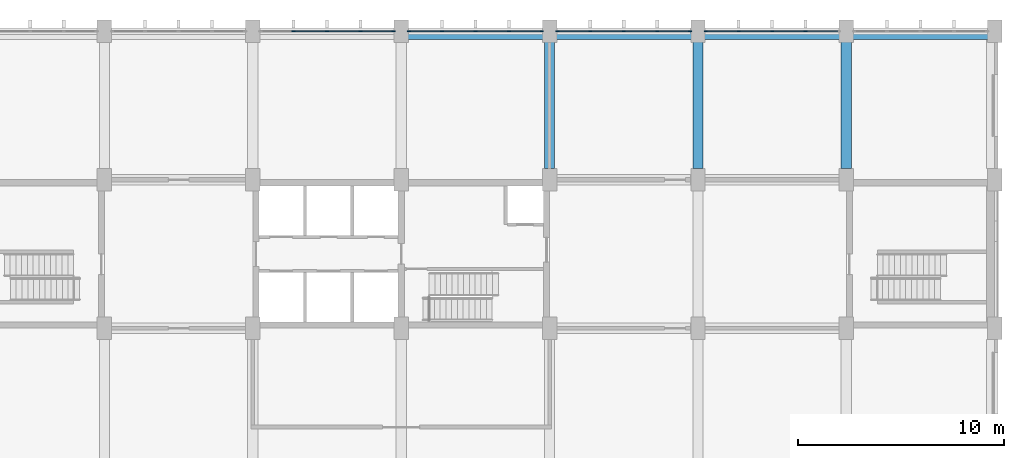
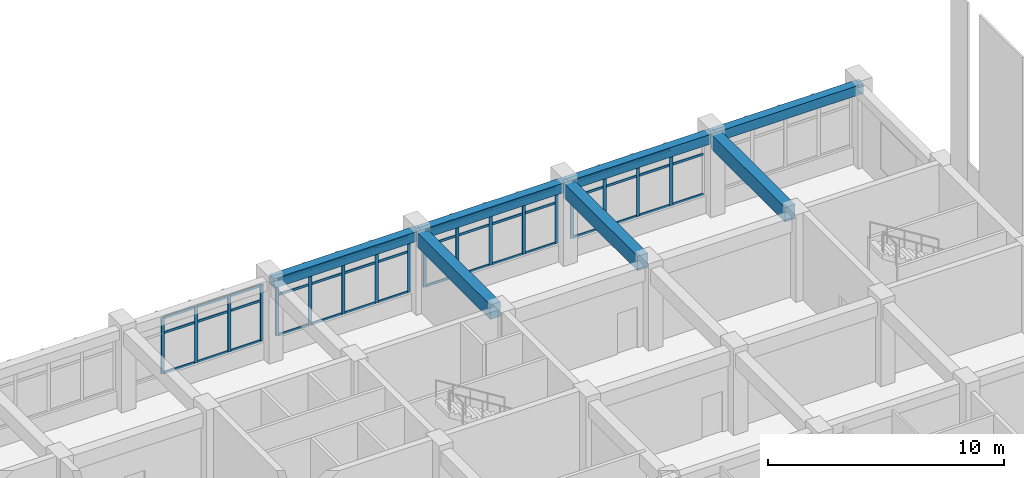
# One storey, part 19 of 52: 62 members, 7 beams, 4 elements without a shape of their own.
"""IFC4 building model written with IfcOpenShell, lengths in metres."""

import ifcopenshell
import ifcopenshell.guid

model = None  # the IFC model being written
_history = None  # IfcOwnerHistory: only IFC2X3 demands one
_inside = {}  # id of a spatial element -> (the spatial element, [elements in it])
_under = {}  # id of a project, library or spatial element -> (it, [spatial elements below it])
_declared = {}  # id of a project -> (the project, [libraries it declares])
_typed = {}  # id of a type object -> (the type object, [elements of that type])
_made_of = {}  # id of a material, layer set ... -> (it, [elements and type objects made of it])


def new_model(schema):
    """Start an empty IFC model of exactly this schema.

    Asked for "IFC4X3", IfcOpenShell would pick the latest addendum, in which some entities
    have other attributes; the version numbers below select the first issue.
    IFC2X3 requires an IfcOwnerHistory on every rooted entity: one is made here for all.
    """
    global model, _history
    if schema == "IFC4X3":
        model = ifcopenshell.file(schema_version=(4, 3, 0, 0))
    else:
        model = ifcopenshell.file(schema=schema)
    _inside.clear()
    _under.clear()
    _declared.clear()
    _typed.clear()
    _made_of.clear()
    _history = None
    if model.schema == "IFC2X3":
        org = make("IfcOrganization", Name="unknown")
        user = make(
            "IfcPersonAndOrganization",
            ThePerson=make("IfcPerson", FamilyName="unknown"),
            TheOrganization=org,
        )
        app = make(
            "IfcApplication",
            ApplicationDeveloper=org,
            Version="unknown",
            ApplicationFullName="unknown",
            ApplicationIdentifier="unknown",
        )
        _history = make(
            "IfcOwnerHistory",
            OwningUser=user,
            OwningApplication=app,
            ChangeAction="ADDED",
            CreationDate=0,
        )
    return model


def make(cls, **values):
    """One entity of the class cls with the attributes given. An attribute that is None is left unset."""
    return model.create_entity(
        cls, **{name: value for name, value in values.items() if value is not None}
    )


def rooted(cls, **values):
    """An entity with a GlobalId (a new one), such as an element, a storey or a relation."""
    return make(cls, GlobalId=ifcopenshell.guid.new(), OwnerHistory=_history, **values)


def si_unit(unit_type, name, prefix=None):
    """IfcSIUnit, for example si_unit("LENGTHUNIT", "METRE", prefix="MILLI")."""
    return make("IfcSIUnit", UnitType=unit_type, Prefix=prefix, Name=name)


def assignment(units):
    """IfcUnitAssignment: the units of a project."""
    return None if units is None else make("IfcUnitAssignment", Units=units)


def point(xyz):
    """IfcCartesianPoint."""
    return None if xyz is None else make("IfcCartesianPoint", Coordinates=xyz)


def direction(xyz):
    """IfcDirection."""
    return None if xyz is None else make("IfcDirection", DirectionRatios=xyz)


def frame(location, z_axis=None, x_axis=None):
    """IfcAxis2Placement3D, a coordinate frame: its origin and axes. An axis left out is left unset."""
    return make(
        "IfcAxis2Placement3D",
        Location=point(location),
        Axis=direction(z_axis),
        RefDirection=direction(x_axis),
    )


def frame_2d(location, x_axis=None):
    """IfcAxis2Placement2D, a coordinate frame in the plane: its origin and x axis."""
    return make(
        "IfcAxis2Placement2D", Location=point(location), RefDirection=direction(x_axis)
    )


def origin():
    """The frame at (0, 0, 0) with its axes left unset."""
    return frame((0.0, 0.0, 0.0))


def origin_2d():
    """The frame at (0, 0) in the plane with its x axis left unset."""
    return frame_2d((0.0, 0.0))


def place(relative_to, where):
    """IfcLocalPlacement: puts the frame where relative to a parent placement (None: the world)."""
    return make(
        "IfcLocalPlacement", PlacementRelTo=relative_to, RelativePlacement=where
    )


def context(
    kind, dimensions, precision=None, world=None, true_north=None, identifier=None
):
    """IfcGeometricRepresentationContext, for example the 3D "Model" context."""
    return make(
        "IfcGeometricRepresentationContext",
        ContextIdentifier=identifier,
        ContextType=kind,
        CoordinateSpaceDimension=dimensions,
        Precision=precision,
        WorldCoordinateSystem=world,
        TrueNorth=true_north,
    )


def subcontext(parent, identifier, kind, view, scale=None):
    """IfcGeometricRepresentationSubContext, for example "Body" below "Model"."""
    return make(
        "IfcGeometricRepresentationSubContext",
        ContextIdentifier=identifier,
        ContextType=kind,
        ParentContext=parent,
        TargetScale=scale,
        TargetView=view,
    )


def project(units=None, contexts=None):
    """IfcProject with its units and contexts."""
    return rooted(
        "IfcProject",
        Name="project",
        RepresentationContexts=contexts,
        UnitsInContext=assignment(units),
    )


def spatial(cls, under=None, at=None, **own):
    """A site, building, storey or space (cls), placed at a placement, below another one or the project."""
    s = rooted(cls, ObjectPlacement=at, **own)
    if under is not None:
        _under.setdefault(under.id(), (under, []))[1].append(s)
    return s


def profile(cls, at=None, kind="AREA", **sizes):
    """A parametric profile (cls). Its sizes go by their IFC names, for example OverallWidth=200.0."""
    return make(cls, ProfileType=kind, Position=at, **sizes)


def rectangle(**sizes):
    """IfcRectangleProfileDef."""
    return profile("IfcRectangleProfileDef", **sizes)


def extrude(swept, where, along, depth):
    """IfcExtrudedAreaSolid: the profile swept, set in the frame where, extruded along a direction by depth."""
    return make(
        "IfcExtrudedAreaSolid",
        SweptArea=swept,
        Position=where,
        ExtrudedDirection=direction(along),
        Depth=depth,
    )


def shape(context_of_items, identifier, shape_type, items):
    """IfcShapeRepresentation: the items that make up one representation, for example the "Body"."""
    return make(
        "IfcShapeRepresentation",
        ContextOfItems=context_of_items,
        RepresentationIdentifier=identifier,
        RepresentationType=shape_type,
        Items=items,
    )


def material(Name=None, Category=None):
    """IfcMaterial."""
    return make("IfcMaterial", Name=Name, Category=Category)


def layer(
    of_material, thickness, ventilated=None, Name=None, Category=None, Priority=None
):
    """IfcMaterialLayer: one layer of a wall or slab, of a material (None: an air gap)."""
    return make(
        "IfcMaterialLayer",
        Material=of_material,
        LayerThickness=thickness,
        IsVentilated=ventilated,
        Name=Name,
        Category=Category,
        Priority=Priority,
    )


def layer_set(layers, Name=None):
    """IfcMaterialLayerSet."""
    return make("IfcMaterialLayerSet", MaterialLayers=layers, LayerSetName=Name)


def material_profile(
    of_material, cross_section, Name=None, Category=None, Priority=None
):
    """IfcMaterialProfile: a cross section and its material."""
    return make(
        "IfcMaterialProfile",
        Name=Name,
        Material=of_material,
        Profile=cross_section,
        Priority=Priority,
        Category=Category,
    )


def profile_set(profiles, Name=None, composite=None):
    """IfcMaterialProfileSet."""
    return make(
        "IfcMaterialProfileSet",
        Name=Name,
        MaterialProfiles=profiles,
        CompositeProfile=composite,
    )


def made_of(thing, what):
    """Note that an element or type object is made of a material, layer set ...; save() writes the relation."""
    if what is not None:
        _made_of.setdefault(what.id(), (what, []))[1].append(thing)
    return thing


def type_object(cls, material=None, **own):
    """A type object (cls), such as IfcWallType, which elements share."""
    return made_of(rooted(cls, **own), material)


def element(
    cls,
    number,
    at=None,
    inside=None,
    cuts=None,
    type_object=None,
    material=None,
    context=None,
    identifier="Body",
    shape_type=None,
    held_by="IfcProductDefinitionShape",
    body=None,
    shapes=None,
    **own,
):
    """One element of the class cls, such as IfcWall. Its Tag is "e" and its number.

    at: its placement. inside: the storey or other place that contains it. cuts: it is an
    opening in that element (IfcRelVoidsElement). A single representation is given by context,
    identifier, shape_type and body (its items); several are given by shapes. held_by: the class
    of the entity that holds the representations. save() writes the other relations.
    """
    e = rooted(cls, Tag="e%d" % number, ObjectPlacement=at, **own)
    if body is not None:
        shapes = [shape(context, identifier, shape_type, body)]
    if shapes is not None:
        e.Representation = make(held_by, Representations=shapes)
    if inside is not None:
        _inside.setdefault(inside.id(), (inside, []))[1].append(e)
    if cuts is not None:
        rooted(
            "IfcRelVoidsElement", RelatingBuildingElement=cuts, RelatedOpeningElement=e
        )
    if type_object is not None:
        _typed.setdefault(type_object.id(), (type_object, []))[1].append(e)
    return made_of(e, material)


def aggregate(whole, parts):
    """IfcRelAggregates: a whole, such as a stair, and the parts it consists of."""
    return rooted("IfcRelAggregates", RelatingObject=whole, RelatedObjects=parts)


def save(model, path):
    """Write the relations noted so far, then the file.

    IfcRelAggregates (storeys below a building ...), IfcRelContainedInSpatialStructure (elements
    in a storey), IfcRelDefinesByType, IfcRelAssociatesMaterial and IfcRelDeclares: one each for
    every whole, place, type object, material and project.
    """
    for whole, parts in _under.values():
        aggregate(whole, parts)
    for where, things in _inside.values():
        rooted(
            "IfcRelContainedInSpatialStructure",
            RelatedElements=things,
            RelatingStructure=where,
        )
    for kind, things in _typed.values():
        rooted("IfcRelDefinesByType", RelatedObjects=things, RelatingType=kind)
    for what, things in _made_of.values():
        rooted("IfcRelAssociatesMaterial", RelatedObjects=things, RelatingMaterial=what)
    for by, libraries in _declared.values():
        rooted("IfcRelDeclares", RelatingContext=by, RelatedDefinitions=libraries)
    model.write(path)


model = new_model("IFC4")

# Units and contexts
model_context = context("Model", 3, precision=1e-05, world=origin(), true_north=direction((0.0, 1.0)))
body_context = subcontext(model_context, "Body", "Model", "MODEL_VIEW")
ifc_project = project(units=[si_unit("LENGTHUNIT", "METRE"), si_unit("AREAUNIT", "SQUARE_METRE"), si_unit("VOLUMEUNIT", "CUBIC_METRE"), si_unit("PLANEANGLEUNIT", "RADIAN"), si_unit("MASSUNIT", "GRAM", prefix="KILO")], contexts=[model_context])

# Site, building, storey
site_placement = place(None, origin())
site = spatial("IfcSite", under=ifc_project, at=site_placement, CompositionType="ELEMENT")
building_placement = place(site_placement, origin())
building = spatial("IfcBuilding", under=site, at=building_placement, Name="Vermilion Court Aquatics Centre", CompositionType="ELEMENT")
storey_placement = place(building_placement, frame((0.0, 0.0, 12.0)))
storey = spatial("IfcBuildingStorey", under=building, at=storey_placement, Name="L02", CompositionType="ELEMENT", Elevation=12.0)

# Beams
ifc_material_1 = material(Name="Concrete 6000 psi", Category="concrete")
ifc_material_profile_1 = material_profile(ifc_material_1, rectangle(XDim=0.39990234375, YDim=0.5, at=origin_2d()), Name="RC 400x500")
ifc_profile_set_1 = profile_set([ifc_material_profile_1], Name="Concrete 6000 psi")
beam_type_1 = type_object("IfcBeamType", Name="North block spandrel beam 400x500", PredefinedType="BEAM", material=ifc_profile_set_1)
for number, where, z_axis, x_axis, name in (
    (1, (165.60009765625, 115.0, 3.949951171875), (1.0, 0.0, 0.0), (0.0, 1.0, 0.0), "Spandrel beam L03 x115.2"),
    (2, (172.800048828125, 115.0, 3.949951171875), (1.0, 0.0, 0.0), (0.0, 1.0, 0.0), "Spandrel beam L03 x115.2"),
    (3, (180.0, 115.0, 3.949951171875), (1.0, 0.0, 0.0), (0.0, 1.0, 0.0), "Spandrel beam L03 x115.2"),
    (4, (187.199951171875, 115.0, 3.949951171875), (1.0, 0.0, 0.0), (0.0, 1.0, 0.0), "Spandrel beam L03 x115.2"),
):
    element("IfcBeam", number, at=place(storey_placement, frame(where, z_axis=z_axis, x_axis=x_axis)), inside=storey, type_object=beam_type_1, Name=name, PredefinedType="BEAM", context=body_context, shape_type="SweptSolid", body=[
        extrude(rectangle(XDim=0.39990234375, YDim=0.5, at=origin_2d()), origin(), (0.0, 0.0, 1.0), 7.199951171875),
    ])
ifc_material_2 = material(Name="Concrete 8000 psi", Category="concrete")
ifc_material_profile_2 = material_profile(ifc_material_2, rectangle(XDim=0.5, YDim=0.75, at=origin_2d()), Name="RC 500x750")
ifc_profile_set_2 = profile_set([ifc_material_profile_2], Name="Concrete 8000 psi")
beam_type_2 = type_object("IfcBeamType", Name="North block transfer deck girder 500x750", PredefinedType="BEAM", material=ifc_profile_set_2)
for number, where, z_axis, x_axis, name in (
    (5, (172.800048828125, 108.550048828125, 3.824951171875), (0.0, 1.0, 0.0), (-1.0, 0.0, 0.0), "Floor beam L03 y172.8"),
    (6, (180.0, 108.550048828125, 3.824951171875), (0.0, 1.0, 0.0), (-1.0, 0.0, 0.0), "Floor beam L03 y180"),
    (7, (187.199951171875, 108.550048828125, 3.824951171875), (0.0, 1.0, 0.0), (-1.0, 0.0, 0.0), "Floor beam L03 y187.2"),
):
    element("IfcBeam", number, at=place(storey_placement, frame(where, z_axis=z_axis, x_axis=x_axis)), inside=storey, type_object=beam_type_2, Name=name, PredefinedType="BEAM", context=body_context, shape_type="SweptSolid", body=[
        extrude(rectangle(XDim=0.5, YDim=0.75, at=origin_2d()), origin(), (0.0, 0.0, 1.0), 6.25),
    ])

# Curtain wall, members
ifc_material_3 = material(Name="Aluminium 6063-T5", Category="aluminium")
ifc_layer = layer(ifc_material_3, 0.14990234375)
ifc_layer_set = layer_set([ifc_layer], Name="Podium curtain wall bay, 1800 module")
curtain_wall_type = type_object("IfcCurtainWallType", Name="Podium curtain wall bay, 1800 module", PredefinedType="NOTDEFINED", material=ifc_layer_set)
curtain_wall_1_placement = place(storey_placement, origin())
curtain_wall_1 = element("IfcCurtainWall", 8, at=curtain_wall_1_placement, inside=storey, type_object=curtain_wall_type, Name="Curtain wall L02", PredefinedType="NOTDEFINED")
ifc_material_4 = material(Name="Aluminium 6063-T5", Category="aluminium")
ifc_material_profile_3 = material_profile(ifc_material_4, rectangle(XDim=0.06005859375, YDim=0.159912109375, at=origin_2d()), Name="Mullion 60x160")
ifc_profile_set_3 = profile_set([ifc_material_profile_3], Name="Aluminium 6063-T5")
member_type_1 = type_object("IfcMemberType", Name="Podium curtain wall mullion 60x160", PredefinedType="MULLION", material=ifc_profile_set_3)
member_1_placement = place(storey_placement, frame((160.375, 115.199951171875, 0.89990234375), z_axis=(0.0, 0.0, 1.0), x_axis=(0.0, 1.0, 0.0)))
member_1 = element("IfcMember", 9, at=member_1_placement, type_object=member_type_1, Name="PG2 mullion 2", PredefinedType="MULLION", context=body_context, shape_type="SweptSolid", body=[
    extrude(rectangle(XDim=0.06005859375, YDim=0.159912109375, at=origin_2d()), origin(), (0.0, 0.0, 1.0), 2.900146484375),
])
member_2_placement = place(storey_placement, frame((162.0, 115.199951171875, 0.89990234375), z_axis=(0.0, 0.0, 1.0), x_axis=(0.0, 1.0, 0.0)))
member_2 = element("IfcMember", 10, at=member_2_placement, type_object=member_type_1, Name="PG2 mullion 3", PredefinedType="MULLION", context=body_context, shape_type="SweptSolid", body=[
    extrude(rectangle(XDim=0.06005859375, YDim=0.159912109375, at=origin_2d()), origin(), (0.0, 0.0, 1.0), 2.900146484375),
])
member_3_placement = place(storey_placement, frame((163.625, 115.199951171875, 0.89990234375), z_axis=(0.0, 0.0, 1.0), x_axis=(0.0, 1.0, 0.0)))
member_3 = element("IfcMember", 11, at=member_3_placement, type_object=member_type_1, Name="PG2 mullion 4", PredefinedType="MULLION", context=body_context, shape_type="SweptSolid", body=[
    extrude(rectangle(XDim=0.06005859375, YDim=0.159912109375, at=origin_2d()), origin(), (0.0, 0.0, 1.0), 2.900146484375),
])
member_4_placement = place(storey_placement, frame((165.219970703125, 115.199951171875, 0.89990234375), z_axis=(0.0, 0.0, 1.0), x_axis=(0.0, 1.0, 0.0)))
member_4 = element("IfcMember", 12, at=member_4_placement, type_object=member_type_1, Name="PG2 mullion 5", PredefinedType="MULLION", context=body_context, shape_type="SweptSolid", body=[
    extrude(rectangle(XDim=0.06005859375, YDim=0.159912109375, at=origin_2d()), origin(), (0.0, 0.0, 1.0), 2.900146484375),
])

curtain_wall_2_placement = place(storey_placement, origin())
curtain_wall_2 = element("IfcCurtainWall", 13, at=curtain_wall_2_placement, inside=storey, type_object=curtain_wall_type, Name="Curtain wall L02", PredefinedType="NOTDEFINED")
member_5_placement = place(storey_placement, frame((165.97998046875, 115.199951171875, 0.89990234375), z_axis=(0.0, 0.0, 1.0), x_axis=(0.0, 1.0, 0.0)))
member_5 = element("IfcMember", 14, at=member_5_placement, type_object=member_type_1, Name="PG2 mullion 1", PredefinedType="MULLION", context=body_context, shape_type="SweptSolid", body=[
    extrude(rectangle(XDim=0.06005859375, YDim=0.159912109375, at=origin_2d()), origin(), (0.0, 0.0, 1.0), 2.900146484375),
])
member_6_placement = place(storey_placement, frame((167.574951171875, 115.199951171875, 0.89990234375), z_axis=(0.0, 0.0, 1.0), x_axis=(0.0, 1.0, 0.0)))
member_6 = element("IfcMember", 15, at=member_6_placement, type_object=member_type_1, Name="PG2 mullion 2", PredefinedType="MULLION", context=body_context, shape_type="SweptSolid", body=[
    extrude(rectangle(XDim=0.06005859375, YDim=0.159912109375, at=origin_2d()), origin(), (0.0, 0.0, 1.0), 2.900146484375),
])
member_7_placement = place(storey_placement, frame((169.199951171875, 115.199951171875, 0.89990234375), z_axis=(0.0, 0.0, 1.0), x_axis=(0.0, 1.0, 0.0)))
member_7 = element("IfcMember", 16, at=member_7_placement, type_object=member_type_1, Name="PG2 mullion 3", PredefinedType="MULLION", context=body_context, shape_type="SweptSolid", body=[
    extrude(rectangle(XDim=0.06005859375, YDim=0.159912109375, at=origin_2d()), origin(), (0.0, 0.0, 1.0), 2.900146484375),
])
member_8_placement = place(storey_placement, frame((170.824951171875, 115.199951171875, 0.89990234375), z_axis=(0.0, 0.0, 1.0), x_axis=(0.0, 1.0, 0.0)))
member_8 = element("IfcMember", 17, at=member_8_placement, type_object=member_type_1, Name="PG2 mullion 4", PredefinedType="MULLION", context=body_context, shape_type="SweptSolid", body=[
    extrude(rectangle(XDim=0.06005859375, YDim=0.159912109375, at=origin_2d()), origin(), (0.0, 0.0, 1.0), 2.900146484375),
])
member_9_placement = place(storey_placement, frame((172.419921875, 115.199951171875, 0.89990234375), z_axis=(0.0, 0.0, 1.0), x_axis=(0.0, 1.0, 0.0)))
member_9 = element("IfcMember", 18, at=member_9_placement, type_object=member_type_1, Name="PG2 mullion 5", PredefinedType="MULLION", context=body_context, shape_type="SweptSolid", body=[
    extrude(rectangle(XDim=0.06005859375, YDim=0.159912109375, at=origin_2d()), origin(), (0.0, 0.0, 1.0), 2.900146484375),
])

curtain_wall_3_placement = place(storey_placement, origin())
curtain_wall_3 = element("IfcCurtainWall", 19, at=curtain_wall_3_placement, inside=storey, type_object=curtain_wall_type, Name="Curtain wall L02", PredefinedType="NOTDEFINED")
member_10_placement = place(storey_placement, frame((173.179931640625, 115.199951171875, 0.89990234375), z_axis=(0.0, 0.0, 1.0), x_axis=(0.0, 1.0, 0.0)))
member_10 = element("IfcMember", 20, at=member_10_placement, type_object=member_type_1, Name="PG2 mullion 1", PredefinedType="MULLION", context=body_context, shape_type="SweptSolid", body=[
    extrude(rectangle(XDim=0.06005859375, YDim=0.159912109375, at=origin_2d()), origin(), (0.0, 0.0, 1.0), 2.900146484375),
])
member_11_placement = place(storey_placement, frame((174.77490234375, 115.199951171875, 0.89990234375), z_axis=(0.0, 0.0, 1.0), x_axis=(0.0, 1.0, 0.0)))
member_11 = element("IfcMember", 21, at=member_11_placement, type_object=member_type_1, Name="PG2 mullion 2", PredefinedType="MULLION", context=body_context, shape_type="SweptSolid", body=[
    extrude(rectangle(XDim=0.06005859375, YDim=0.159912109375, at=origin_2d()), origin(), (0.0, 0.0, 1.0), 2.900146484375),
])
member_12_placement = place(storey_placement, frame((176.39990234375, 115.199951171875, 0.89990234375), z_axis=(0.0, 0.0, 1.0), x_axis=(0.0, 1.0, 0.0)))
member_12 = element("IfcMember", 22, at=member_12_placement, type_object=member_type_1, Name="PG2 mullion 3", PredefinedType="MULLION", context=body_context, shape_type="SweptSolid", body=[
    extrude(rectangle(XDim=0.06005859375, YDim=0.159912109375, at=origin_2d()), origin(), (0.0, 0.0, 1.0), 2.900146484375),
])
member_13_placement = place(storey_placement, frame((178.02490234375, 115.199951171875, 0.89990234375), z_axis=(0.0, 0.0, 1.0), x_axis=(0.0, 1.0, 0.0)))
member_13 = element("IfcMember", 23, at=member_13_placement, type_object=member_type_1, Name="PG2 mullion 4", PredefinedType="MULLION", context=body_context, shape_type="SweptSolid", body=[
    extrude(rectangle(XDim=0.06005859375, YDim=0.159912109375, at=origin_2d()), origin(), (0.0, 0.0, 1.0), 2.900146484375),
])
member_14_placement = place(storey_placement, frame((179.6201171875, 115.199951171875, 0.89990234375), z_axis=(0.0, 0.0, 1.0), x_axis=(0.0, 1.0, 0.0)))
member_14 = element("IfcMember", 24, at=member_14_placement, type_object=member_type_1, Name="PG2 mullion 5", PredefinedType="MULLION", context=body_context, shape_type="SweptSolid", body=[
    extrude(rectangle(XDim=0.06005859375, YDim=0.159912109375, at=origin_2d()), origin(), (0.0, 0.0, 1.0), 2.900146484375),
])

curtain_wall_4_placement = place(storey_placement, origin())
curtain_wall_4 = element("IfcCurtainWall", 25, at=curtain_wall_4_placement, inside=storey, type_object=curtain_wall_type, Name="Curtain wall L02", PredefinedType="NOTDEFINED")
member_15_placement = place(storey_placement, frame((180.3798828125, 115.199951171875, 0.89990234375), z_axis=(0.0, 0.0, 1.0), x_axis=(0.0, 1.0, 0.0)))
member_15 = element("IfcMember", 26, at=member_15_placement, type_object=member_type_1, Name="PG2 mullion 1", PredefinedType="MULLION", context=body_context, shape_type="SweptSolid", body=[
    extrude(rectangle(XDim=0.06005859375, YDim=0.159912109375, at=origin_2d()), origin(), (0.0, 0.0, 1.0), 2.900146484375),
])
member_16_placement = place(storey_placement, frame((181.97509765625, 115.199951171875, 0.89990234375), z_axis=(0.0, 0.0, 1.0), x_axis=(0.0, 1.0, 0.0)))
member_16 = element("IfcMember", 27, at=member_16_placement, type_object=member_type_1, Name="PG2 mullion 2", PredefinedType="MULLION", context=body_context, shape_type="SweptSolid", body=[
    extrude(rectangle(XDim=0.06005859375, YDim=0.159912109375, at=origin_2d()), origin(), (0.0, 0.0, 1.0), 2.900146484375),
])
member_17_placement = place(storey_placement, frame((183.60009765625, 115.199951171875, 0.89990234375), z_axis=(0.0, 0.0, 1.0), x_axis=(0.0, 1.0, 0.0)))
member_17 = element("IfcMember", 28, at=member_17_placement, type_object=member_type_1, Name="PG2 mullion 3", PredefinedType="MULLION", context=body_context, shape_type="SweptSolid", body=[
    extrude(rectangle(XDim=0.06005859375, YDim=0.159912109375, at=origin_2d()), origin(), (0.0, 0.0, 1.0), 2.900146484375),
])
member_18_placement = place(storey_placement, frame((185.22509765625, 115.199951171875, 0.89990234375), z_axis=(0.0, 0.0, 1.0), x_axis=(0.0, 1.0, 0.0)))
member_18 = element("IfcMember", 29, at=member_18_placement, type_object=member_type_1, Name="PG2 mullion 4", PredefinedType="MULLION", context=body_context, shape_type="SweptSolid", body=[
    extrude(rectangle(XDim=0.06005859375, YDim=0.159912109375, at=origin_2d()), origin(), (0.0, 0.0, 1.0), 2.900146484375),
])

# Member
ifc_material_5 = material(Name="Aluminium 6063-T5", Category="aluminium")
ifc_material_profile_4 = material_profile(ifc_material_5, rectangle(XDim=0.06005859375, YDim=0.1201171875, at=origin_2d()), Name="Transom 60x120")
ifc_profile_set_4 = profile_set([ifc_material_profile_4], Name="Aluminium 6063-T5")
member_type_2 = type_object("IfcMemberType", Name="Podium curtain wall transom 60x120", PredefinedType="USERDEFINED", material=ifc_profile_set_4)
member_19_placement = place(storey_placement, frame((160.405029296875, 115.199951171875, 0.929931640625), z_axis=(1.0, 0.0, 0.0), x_axis=(0.0, 1.0, 0.0)))
member_19 = element("IfcMember", 30, at=member_19_placement, type_object=member_type_2, Name="PG2 transom 2.1", ObjectType="TRANSOM", PredefinedType="USERDEFINED", context=body_context, shape_type="SweptSolid", body=[
    extrude(rectangle(XDim=0.06005859375, YDim=0.1201171875, at=origin_2d()), origin(), (0.0, 0.0, 1.0), 1.56494140625),
])

member_20_placement = place(storey_placement, frame((160.405029296875, 115.199951171875, 3.0), z_axis=(1.0, 0.0, 0.0), x_axis=(0.0, 1.0, 0.0)))
member_20 = element("IfcMember", 31, at=member_20_placement, type_object=member_type_2, Name="PG2 transom 2.2", ObjectType="TRANSOM", PredefinedType="USERDEFINED", context=body_context, shape_type="SweptSolid", body=[
    extrude(rectangle(XDim=0.06005859375, YDim=0.1201171875, at=origin_2d()), origin(), (0.0, 0.0, 1.0), 1.56494140625),
])

member_21_placement = place(storey_placement, frame((160.405029296875, 115.199951171875, 3.77001953125), z_axis=(1.0, 0.0, 0.0), x_axis=(0.0, 1.0, 0.0)))
member_21 = element("IfcMember", 32, at=member_21_placement, type_object=member_type_2, Name="PG2 transom 2.3", ObjectType="TRANSOM", PredefinedType="USERDEFINED", context=body_context, shape_type="SweptSolid", body=[
    extrude(rectangle(XDim=0.06005859375, YDim=0.1201171875, at=origin_2d()), origin(), (0.0, 0.0, 1.0), 1.56494140625),
])

member_22_placement = place(storey_placement, frame((162.030029296875, 115.199951171875, 0.929931640625), z_axis=(1.0, 0.0, 0.0), x_axis=(0.0, 1.0, 0.0)))
member_22 = element("IfcMember", 33, at=member_22_placement, type_object=member_type_2, Name="PG2 transom 3.1", ObjectType="TRANSOM", PredefinedType="USERDEFINED", context=body_context, shape_type="SweptSolid", body=[
    extrude(rectangle(XDim=0.06005859375, YDim=0.1201171875, at=origin_2d()), origin(), (0.0, 0.0, 1.0), 1.56494140625),
])

member_23_placement = place(storey_placement, frame((162.030029296875, 115.199951171875, 3.0), z_axis=(1.0, 0.0, 0.0), x_axis=(0.0, 1.0, 0.0)))
member_23 = element("IfcMember", 34, at=member_23_placement, type_object=member_type_2, Name="PG2 transom 3.2", ObjectType="TRANSOM", PredefinedType="USERDEFINED", context=body_context, shape_type="SweptSolid", body=[
    extrude(rectangle(XDim=0.06005859375, YDim=0.1201171875, at=origin_2d()), origin(), (0.0, 0.0, 1.0), 1.56494140625),
])

member_24_placement = place(storey_placement, frame((162.030029296875, 115.199951171875, 3.77001953125), z_axis=(1.0, 0.0, 0.0), x_axis=(0.0, 1.0, 0.0)))
member_24 = element("IfcMember", 35, at=member_24_placement, type_object=member_type_2, Name="PG2 transom 3.3", ObjectType="TRANSOM", PredefinedType="USERDEFINED", context=body_context, shape_type="SweptSolid", body=[
    extrude(rectangle(XDim=0.06005859375, YDim=0.1201171875, at=origin_2d()), origin(), (0.0, 0.0, 1.0), 1.56494140625),
])

member_25_placement = place(storey_placement, frame((163.655029296875, 115.199951171875, 0.929931640625), z_axis=(1.0, 0.0, 0.0), x_axis=(0.0, 1.0, 0.0)))
member_25 = element("IfcMember", 36, at=member_25_placement, type_object=member_type_2, Name="PG2 transom 4.1", ObjectType="TRANSOM", PredefinedType="USERDEFINED", context=body_context, shape_type="SweptSolid", body=[
    extrude(rectangle(XDim=0.06005859375, YDim=0.1201171875, at=origin_2d()), origin(), (0.0, 0.0, 1.0), 1.534912109375),
])

member_26_placement = place(storey_placement, frame((163.655029296875, 115.199951171875, 3.0), z_axis=(1.0, 0.0, 0.0), x_axis=(0.0, 1.0, 0.0)))
member_26 = element("IfcMember", 37, at=member_26_placement, type_object=member_type_2, Name="PG2 transom 4.2", ObjectType="TRANSOM", PredefinedType="USERDEFINED", context=body_context, shape_type="SweptSolid", body=[
    extrude(rectangle(XDim=0.06005859375, YDim=0.1201171875, at=origin_2d()), origin(), (0.0, 0.0, 1.0), 1.534912109375),
])

member_27_placement = place(storey_placement, frame((163.655029296875, 115.199951171875, 3.77001953125), z_axis=(1.0, 0.0, 0.0), x_axis=(0.0, 1.0, 0.0)))
member_27 = element("IfcMember", 38, at=member_27_placement, type_object=member_type_2, Name="PG2 transom 4.3", ObjectType="TRANSOM", PredefinedType="USERDEFINED", context=body_context, shape_type="SweptSolid", body=[
    extrude(rectangle(XDim=0.06005859375, YDim=0.1201171875, at=origin_2d()), origin(), (0.0, 0.0, 1.0), 1.534912109375),
])

aggregate(curtain_wall_1, [member_1, member_2, member_3, member_4, member_19, member_20, member_21, member_22, member_23, member_24, member_25, member_26, member_27])

member_28_placement = place(storey_placement, frame((166.010009765625, 115.199951171875, 0.929931640625), z_axis=(1.0, 0.0, 0.0), x_axis=(0.0, 1.0, 0.0)))
member_28 = element("IfcMember", 39, at=member_28_placement, type_object=member_type_2, Name="PG2 transom 1.1", ObjectType="TRANSOM", PredefinedType="USERDEFINED", context=body_context, shape_type="SweptSolid", body=[
    extrude(rectangle(XDim=0.06005859375, YDim=0.1201171875, at=origin_2d()), origin(), (0.0, 0.0, 1.0), 1.534912109375),
])

member_29_placement = place(storey_placement, frame((166.010009765625, 115.199951171875, 3.0), z_axis=(1.0, 0.0, 0.0), x_axis=(0.0, 1.0, 0.0)))
member_29 = element("IfcMember", 40, at=member_29_placement, type_object=member_type_2, Name="PG2 transom 1.2", ObjectType="TRANSOM", PredefinedType="USERDEFINED", context=body_context, shape_type="SweptSolid", body=[
    extrude(rectangle(XDim=0.06005859375, YDim=0.1201171875, at=origin_2d()), origin(), (0.0, 0.0, 1.0), 1.534912109375),
])

member_30_placement = place(storey_placement, frame((166.010009765625, 115.199951171875, 3.77001953125), z_axis=(1.0, 0.0, 0.0), x_axis=(0.0, 1.0, 0.0)))
member_30 = element("IfcMember", 41, at=member_30_placement, type_object=member_type_2, Name="PG2 transom 1.3", ObjectType="TRANSOM", PredefinedType="USERDEFINED", context=body_context, shape_type="SweptSolid", body=[
    extrude(rectangle(XDim=0.06005859375, YDim=0.1201171875, at=origin_2d()), origin(), (0.0, 0.0, 1.0), 1.534912109375),
])

member_31_placement = place(storey_placement, frame((167.60498046875, 115.199951171875, 0.929931640625), z_axis=(1.0, 0.0, 0.0), x_axis=(0.0, 1.0, 0.0)))
member_31 = element("IfcMember", 42, at=member_31_placement, type_object=member_type_2, Name="PG2 transom 2.1", ObjectType="TRANSOM", PredefinedType="USERDEFINED", context=body_context, shape_type="SweptSolid", body=[
    extrude(rectangle(XDim=0.06005859375, YDim=0.1201171875, at=origin_2d()), origin(), (0.0, 0.0, 1.0), 1.56494140625),
])

member_32_placement = place(storey_placement, frame((167.60498046875, 115.199951171875, 3.0), z_axis=(1.0, 0.0, 0.0), x_axis=(0.0, 1.0, 0.0)))
member_32 = element("IfcMember", 43, at=member_32_placement, type_object=member_type_2, Name="PG2 transom 2.2", ObjectType="TRANSOM", PredefinedType="USERDEFINED", context=body_context, shape_type="SweptSolid", body=[
    extrude(rectangle(XDim=0.06005859375, YDim=0.1201171875, at=origin_2d()), origin(), (0.0, 0.0, 1.0), 1.56494140625),
])

member_33_placement = place(storey_placement, frame((167.60498046875, 115.199951171875, 3.77001953125), z_axis=(1.0, 0.0, 0.0), x_axis=(0.0, 1.0, 0.0)))
member_33 = element("IfcMember", 44, at=member_33_placement, type_object=member_type_2, Name="PG2 transom 2.3", ObjectType="TRANSOM", PredefinedType="USERDEFINED", context=body_context, shape_type="SweptSolid", body=[
    extrude(rectangle(XDim=0.06005859375, YDim=0.1201171875, at=origin_2d()), origin(), (0.0, 0.0, 1.0), 1.56494140625),
])

member_34_placement = place(storey_placement, frame((169.22998046875, 115.199951171875, 0.929931640625), z_axis=(1.0, 0.0, 0.0), x_axis=(0.0, 1.0, 0.0)))
member_34 = element("IfcMember", 45, at=member_34_placement, type_object=member_type_2, Name="PG2 transom 3.1", ObjectType="TRANSOM", PredefinedType="USERDEFINED", context=body_context, shape_type="SweptSolid", body=[
    extrude(rectangle(XDim=0.06005859375, YDim=0.1201171875, at=origin_2d()), origin(), (0.0, 0.0, 1.0), 1.56494140625),
])

member_35_placement = place(storey_placement, frame((169.22998046875, 115.199951171875, 3.0), z_axis=(1.0, 0.0, 0.0), x_axis=(0.0, 1.0, 0.0)))
member_35 = element("IfcMember", 46, at=member_35_placement, type_object=member_type_2, Name="PG2 transom 3.2", ObjectType="TRANSOM", PredefinedType="USERDEFINED", context=body_context, shape_type="SweptSolid", body=[
    extrude(rectangle(XDim=0.06005859375, YDim=0.1201171875, at=origin_2d()), origin(), (0.0, 0.0, 1.0), 1.56494140625),
])

member_36_placement = place(storey_placement, frame((169.22998046875, 115.199951171875, 3.77001953125), z_axis=(1.0, 0.0, 0.0), x_axis=(0.0, 1.0, 0.0)))
member_36 = element("IfcMember", 47, at=member_36_placement, type_object=member_type_2, Name="PG2 transom 3.3", ObjectType="TRANSOM", PredefinedType="USERDEFINED", context=body_context, shape_type="SweptSolid", body=[
    extrude(rectangle(XDim=0.06005859375, YDim=0.1201171875, at=origin_2d()), origin(), (0.0, 0.0, 1.0), 1.56494140625),
])

member_37_placement = place(storey_placement, frame((170.85498046875, 115.199951171875, 0.929931640625), z_axis=(1.0, 0.0, 0.0), x_axis=(0.0, 1.0, 0.0)))
member_37 = element("IfcMember", 48, at=member_37_placement, type_object=member_type_2, Name="PG2 transom 4.1", ObjectType="TRANSOM", PredefinedType="USERDEFINED", context=body_context, shape_type="SweptSolid", body=[
    extrude(rectangle(XDim=0.06005859375, YDim=0.1201171875, at=origin_2d()), origin(), (0.0, 0.0, 1.0), 1.534912109375),
])

member_38_placement = place(storey_placement, frame((170.85498046875, 115.199951171875, 3.0), z_axis=(1.0, 0.0, 0.0), x_axis=(0.0, 1.0, 0.0)))
member_38 = element("IfcMember", 49, at=member_38_placement, type_object=member_type_2, Name="PG2 transom 4.2", ObjectType="TRANSOM", PredefinedType="USERDEFINED", context=body_context, shape_type="SweptSolid", body=[
    extrude(rectangle(XDim=0.06005859375, YDim=0.1201171875, at=origin_2d()), origin(), (0.0, 0.0, 1.0), 1.534912109375),
])

member_39_placement = place(storey_placement, frame((170.85498046875, 115.199951171875, 3.77001953125), z_axis=(1.0, 0.0, 0.0), x_axis=(0.0, 1.0, 0.0)))
member_39 = element("IfcMember", 50, at=member_39_placement, type_object=member_type_2, Name="PG2 transom 4.3", ObjectType="TRANSOM", PredefinedType="USERDEFINED", context=body_context, shape_type="SweptSolid", body=[
    extrude(rectangle(XDim=0.06005859375, YDim=0.1201171875, at=origin_2d()), origin(), (0.0, 0.0, 1.0), 1.534912109375),
])

aggregate(curtain_wall_2, [member_5, member_6, member_7, member_8, member_9, member_28, member_29, member_30, member_31, member_32, member_33, member_34, member_35, member_36, member_37, member_38, member_39])

member_40_placement = place(storey_placement, frame((173.2099609375, 115.199951171875, 0.929931640625), z_axis=(1.0, 0.0, 0.0), x_axis=(0.0, 1.0, 0.0)))
member_40 = element("IfcMember", 51, at=member_40_placement, type_object=member_type_2, Name="PG2 transom 1.1", ObjectType="TRANSOM", PredefinedType="USERDEFINED", context=body_context, shape_type="SweptSolid", body=[
    extrude(rectangle(XDim=0.06005859375, YDim=0.1201171875, at=origin_2d()), origin(), (0.0, 0.0, 1.0), 1.53515625),
])

member_41_placement = place(storey_placement, frame((173.2099609375, 115.199951171875, 3.0), z_axis=(1.0, 0.0, 0.0), x_axis=(0.0, 1.0, 0.0)))
member_41 = element("IfcMember", 52, at=member_41_placement, type_object=member_type_2, Name="PG2 transom 1.2", ObjectType="TRANSOM", PredefinedType="USERDEFINED", context=body_context, shape_type="SweptSolid", body=[
    extrude(rectangle(XDim=0.06005859375, YDim=0.1201171875, at=origin_2d()), origin(), (0.0, 0.0, 1.0), 1.53515625),
])

member_42_placement = place(storey_placement, frame((173.2099609375, 115.199951171875, 3.77001953125), z_axis=(1.0, 0.0, 0.0), x_axis=(0.0, 1.0, 0.0)))
member_42 = element("IfcMember", 53, at=member_42_placement, type_object=member_type_2, Name="PG2 transom 1.3", ObjectType="TRANSOM", PredefinedType="USERDEFINED", context=body_context, shape_type="SweptSolid", body=[
    extrude(rectangle(XDim=0.06005859375, YDim=0.1201171875, at=origin_2d()), origin(), (0.0, 0.0, 1.0), 1.53515625),
])

member_43_placement = place(storey_placement, frame((174.804931640625, 115.199951171875, 0.929931640625), z_axis=(1.0, 0.0, 0.0), x_axis=(0.0, 1.0, 0.0)))
member_43 = element("IfcMember", 54, at=member_43_placement, type_object=member_type_2, Name="PG2 transom 2.1", ObjectType="TRANSOM", PredefinedType="USERDEFINED", context=body_context, shape_type="SweptSolid", body=[
    extrude(rectangle(XDim=0.06005859375, YDim=0.1201171875, at=origin_2d()), origin(), (0.0, 0.0, 1.0), 1.565185546875),
])

member_44_placement = place(storey_placement, frame((174.804931640625, 115.199951171875, 3.0), z_axis=(1.0, 0.0, 0.0), x_axis=(0.0, 1.0, 0.0)))
member_44 = element("IfcMember", 55, at=member_44_placement, type_object=member_type_2, Name="PG2 transom 2.2", ObjectType="TRANSOM", PredefinedType="USERDEFINED", context=body_context, shape_type="SweptSolid", body=[
    extrude(rectangle(XDim=0.06005859375, YDim=0.1201171875, at=origin_2d()), origin(), (0.0, 0.0, 1.0), 1.565185546875),
])

member_45_placement = place(storey_placement, frame((174.804931640625, 115.199951171875, 3.77001953125), z_axis=(1.0, 0.0, 0.0), x_axis=(0.0, 1.0, 0.0)))
member_45 = element("IfcMember", 56, at=member_45_placement, type_object=member_type_2, Name="PG2 transom 2.3", ObjectType="TRANSOM", PredefinedType="USERDEFINED", context=body_context, shape_type="SweptSolid", body=[
    extrude(rectangle(XDim=0.06005859375, YDim=0.1201171875, at=origin_2d()), origin(), (0.0, 0.0, 1.0), 1.565185546875),
])

member_46_placement = place(storey_placement, frame((176.429931640625, 115.199951171875, 0.929931640625), z_axis=(1.0, 0.0, 0.0), x_axis=(0.0, 1.0, 0.0)))
member_46 = element("IfcMember", 57, at=member_46_placement, type_object=member_type_2, Name="PG2 transom 3.1", ObjectType="TRANSOM", PredefinedType="USERDEFINED", context=body_context, shape_type="SweptSolid", body=[
    extrude(rectangle(XDim=0.06005859375, YDim=0.1201171875, at=origin_2d()), origin(), (0.0, 0.0, 1.0), 1.565185546875),
])

member_47_placement = place(storey_placement, frame((176.429931640625, 115.199951171875, 3.0), z_axis=(1.0, 0.0, 0.0), x_axis=(0.0, 1.0, 0.0)))
member_47 = element("IfcMember", 58, at=member_47_placement, type_object=member_type_2, Name="PG2 transom 3.2", ObjectType="TRANSOM", PredefinedType="USERDEFINED", context=body_context, shape_type="SweptSolid", body=[
    extrude(rectangle(XDim=0.06005859375, YDim=0.1201171875, at=origin_2d()), origin(), (0.0, 0.0, 1.0), 1.565185546875),
])

member_48_placement = place(storey_placement, frame((176.429931640625, 115.199951171875, 3.77001953125), z_axis=(1.0, 0.0, 0.0), x_axis=(0.0, 1.0, 0.0)))
member_48 = element("IfcMember", 59, at=member_48_placement, type_object=member_type_2, Name="PG2 transom 3.3", ObjectType="TRANSOM", PredefinedType="USERDEFINED", context=body_context, shape_type="SweptSolid", body=[
    extrude(rectangle(XDim=0.06005859375, YDim=0.1201171875, at=origin_2d()), origin(), (0.0, 0.0, 1.0), 1.565185546875),
])

member_49_placement = place(storey_placement, frame((178.054931640625, 115.199951171875, 0.929931640625), z_axis=(1.0, 0.0, 0.0), x_axis=(0.0, 1.0, 0.0)))
member_49 = element("IfcMember", 60, at=member_49_placement, type_object=member_type_2, Name="PG2 transom 4.1", ObjectType="TRANSOM", PredefinedType="USERDEFINED", context=body_context, shape_type="SweptSolid", body=[
    extrude(rectangle(XDim=0.06005859375, YDim=0.1201171875, at=origin_2d()), origin(), (0.0, 0.0, 1.0), 1.53515625),
])

member_50_placement = place(storey_placement, frame((178.054931640625, 115.199951171875, 3.0), z_axis=(1.0, 0.0, 0.0), x_axis=(0.0, 1.0, 0.0)))
member_50 = element("IfcMember", 61, at=member_50_placement, type_object=member_type_2, Name="PG2 transom 4.2", ObjectType="TRANSOM", PredefinedType="USERDEFINED", context=body_context, shape_type="SweptSolid", body=[
    extrude(rectangle(XDim=0.06005859375, YDim=0.1201171875, at=origin_2d()), origin(), (0.0, 0.0, 1.0), 1.53515625),
])

member_51_placement = place(storey_placement, frame((178.054931640625, 115.199951171875, 3.77001953125), z_axis=(1.0, 0.0, 0.0), x_axis=(0.0, 1.0, 0.0)))
member_51 = element("IfcMember", 62, at=member_51_placement, type_object=member_type_2, Name="PG2 transom 4.3", ObjectType="TRANSOM", PredefinedType="USERDEFINED", context=body_context, shape_type="SweptSolid", body=[
    extrude(rectangle(XDim=0.06005859375, YDim=0.1201171875, at=origin_2d()), origin(), (0.0, 0.0, 1.0), 1.53515625),
])

aggregate(curtain_wall_3, [member_10, member_11, member_12, member_13, member_14, member_40, member_41, member_42, member_43, member_44, member_45, member_46, member_47, member_48, member_49, member_50, member_51])

member_52_placement = place(storey_placement, frame((180.409912109375, 115.199951171875, 0.929931640625), z_axis=(1.0, 0.0, 0.0), x_axis=(0.0, 1.0, 0.0)))
member_52 = element("IfcMember", 63, at=member_52_placement, type_object=member_type_2, Name="PG2 transom 1.1", ObjectType="TRANSOM", PredefinedType="USERDEFINED", context=body_context, shape_type="SweptSolid", body=[
    extrude(rectangle(XDim=0.06005859375, YDim=0.1201171875, at=origin_2d()), origin(), (0.0, 0.0, 1.0), 1.53515625),
])

member_53_placement = place(storey_placement, frame((180.409912109375, 115.199951171875, 3.0), z_axis=(1.0, 0.0, 0.0), x_axis=(0.0, 1.0, 0.0)))
member_53 = element("IfcMember", 64, at=member_53_placement, type_object=member_type_2, Name="PG2 transom 1.2", ObjectType="TRANSOM", PredefinedType="USERDEFINED", context=body_context, shape_type="SweptSolid", body=[
    extrude(rectangle(XDim=0.06005859375, YDim=0.1201171875, at=origin_2d()), origin(), (0.0, 0.0, 1.0), 1.53515625),
])

member_54_placement = place(storey_placement, frame((180.409912109375, 115.199951171875, 3.77001953125), z_axis=(1.0, 0.0, 0.0), x_axis=(0.0, 1.0, 0.0)))
member_54 = element("IfcMember", 65, at=member_54_placement, type_object=member_type_2, Name="PG2 transom 1.3", ObjectType="TRANSOM", PredefinedType="USERDEFINED", context=body_context, shape_type="SweptSolid", body=[
    extrude(rectangle(XDim=0.06005859375, YDim=0.1201171875, at=origin_2d()), origin(), (0.0, 0.0, 1.0), 1.53515625),
])

member_55_placement = place(storey_placement, frame((182.0048828125, 115.199951171875, 0.929931640625), z_axis=(1.0, 0.0, 0.0), x_axis=(0.0, 1.0, 0.0)))
member_55 = element("IfcMember", 66, at=member_55_placement, type_object=member_type_2, Name="PG2 transom 2.1", ObjectType="TRANSOM", PredefinedType="USERDEFINED", context=body_context, shape_type="SweptSolid", body=[
    extrude(rectangle(XDim=0.06005859375, YDim=0.1201171875, at=origin_2d()), origin(), (0.0, 0.0, 1.0), 1.565185546875),
])

member_56_placement = place(storey_placement, frame((182.0048828125, 115.199951171875, 3.0), z_axis=(1.0, 0.0, 0.0), x_axis=(0.0, 1.0, 0.0)))
member_56 = element("IfcMember", 67, at=member_56_placement, type_object=member_type_2, Name="PG2 transom 2.2", ObjectType="TRANSOM", PredefinedType="USERDEFINED", context=body_context, shape_type="SweptSolid", body=[
    extrude(rectangle(XDim=0.06005859375, YDim=0.1201171875, at=origin_2d()), origin(), (0.0, 0.0, 1.0), 1.565185546875),
])

member_57_placement = place(storey_placement, frame((182.0048828125, 115.199951171875, 3.77001953125), z_axis=(1.0, 0.0, 0.0), x_axis=(0.0, 1.0, 0.0)))
member_57 = element("IfcMember", 68, at=member_57_placement, type_object=member_type_2, Name="PG2 transom 2.3", ObjectType="TRANSOM", PredefinedType="USERDEFINED", context=body_context, shape_type="SweptSolid", body=[
    extrude(rectangle(XDim=0.06005859375, YDim=0.1201171875, at=origin_2d()), origin(), (0.0, 0.0, 1.0), 1.565185546875),
])

member_58_placement = place(storey_placement, frame((183.6298828125, 115.199951171875, 0.929931640625), z_axis=(1.0, 0.0, 0.0), x_axis=(0.0, 1.0, 0.0)))
member_58 = element("IfcMember", 69, at=member_58_placement, type_object=member_type_2, Name="PG2 transom 3.1", ObjectType="TRANSOM", PredefinedType="USERDEFINED", context=body_context, shape_type="SweptSolid", body=[
    extrude(rectangle(XDim=0.06005859375, YDim=0.1201171875, at=origin_2d()), origin(), (0.0, 0.0, 1.0), 1.565185546875),
])

member_59_placement = place(storey_placement, frame((183.6298828125, 115.199951171875, 3.0), z_axis=(1.0, 0.0, 0.0), x_axis=(0.0, 1.0, 0.0)))
member_59 = element("IfcMember", 70, at=member_59_placement, type_object=member_type_2, Name="PG2 transom 3.2", ObjectType="TRANSOM", PredefinedType="USERDEFINED", context=body_context, shape_type="SweptSolid", body=[
    extrude(rectangle(XDim=0.06005859375, YDim=0.1201171875, at=origin_2d()), origin(), (0.0, 0.0, 1.0), 1.565185546875),
])

member_60_placement = place(storey_placement, frame((183.6298828125, 115.199951171875, 3.77001953125), z_axis=(1.0, 0.0, 0.0), x_axis=(0.0, 1.0, 0.0)))
member_60 = element("IfcMember", 71, at=member_60_placement, type_object=member_type_2, Name="PG2 transom 3.3", ObjectType="TRANSOM", PredefinedType="USERDEFINED", context=body_context, shape_type="SweptSolid", body=[
    extrude(rectangle(XDim=0.06005859375, YDim=0.1201171875, at=origin_2d()), origin(), (0.0, 0.0, 1.0), 1.565185546875),
])

member_61_placement = place(storey_placement, frame((185.2548828125, 115.199951171875, 0.929931640625), z_axis=(1.0, 0.0, 0.0), x_axis=(0.0, 1.0, 0.0)))
member_61 = element("IfcMember", 72, at=member_61_placement, type_object=member_type_2, Name="PG2 transom 4.1", ObjectType="TRANSOM", PredefinedType="USERDEFINED", context=body_context, shape_type="SweptSolid", body=[
    extrude(rectangle(XDim=0.06005859375, YDim=0.1201171875, at=origin_2d()), origin(), (0.0, 0.0, 1.0), 1.53515625),
])

member_62_placement = place(storey_placement, frame((185.2548828125, 115.199951171875, 3.0), z_axis=(1.0, 0.0, 0.0), x_axis=(0.0, 1.0, 0.0)))
member_62 = element("IfcMember", 73, at=member_62_placement, type_object=member_type_2, Name="PG2 transom 4.2", ObjectType="TRANSOM", PredefinedType="USERDEFINED", context=body_context, shape_type="SweptSolid", body=[
    extrude(rectangle(XDim=0.06005859375, YDim=0.1201171875, at=origin_2d()), origin(), (0.0, 0.0, 1.0), 1.53515625),
])

aggregate(curtain_wall_4, [member_15, member_16, member_17, member_18, member_52, member_53, member_54, member_55, member_56, member_57, member_58, member_59, member_60, member_61, member_62])

save(model, "model.ifc")
